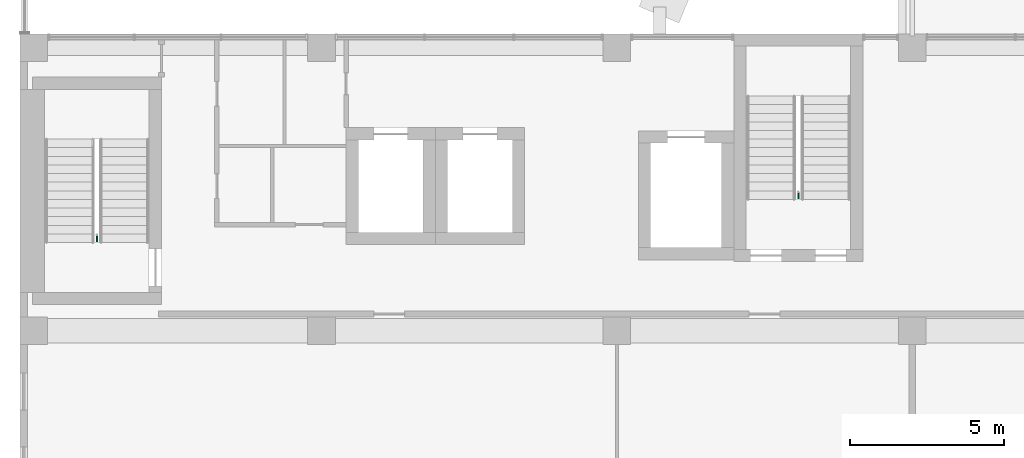
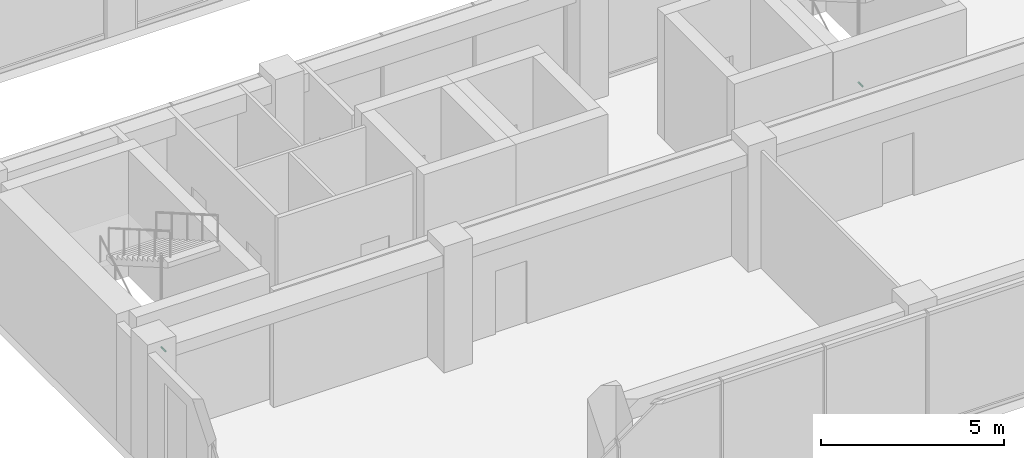
# One storey, part 37 of 38: 2 pipe fittings.
"""IFC4 building model written with IfcOpenShell, lengths in metres."""

from ifc_helpers import new_model, si_unit, direction, frame, origin, origin_2d, place, context, subcontext, project, spatial, circle, extrude, element, save


model = new_model("IFC4")

# Units and contexts
model_context = context("Model", 3, precision=1e-05, world=origin(), true_north=direction((0.0, 1.0)))
body_context = subcontext(model_context, "Body", "Model", "MODEL_VIEW")
ifc_project = project(units=[si_unit("LENGTHUNIT", "METRE"), si_unit("AREAUNIT", "SQUARE_METRE"), si_unit("VOLUMEUNIT", "CUBIC_METRE"), si_unit("PLANEANGLEUNIT", "RADIAN"), si_unit("MASSUNIT", "GRAM", prefix="KILO")], contexts=[model_context])

# Site, building, storey
site_placement = place(None, origin())
site = spatial("IfcSite", under=ifc_project, at=site_placement, CompositionType="ELEMENT")
building_placement = place(site_placement, origin())
building = spatial("IfcBuilding", under=site, at=building_placement, Name="Nzadi Deep Aquarium and Research Tower", CompositionType="ELEMENT")
storey_placement = place(building_placement, frame((0.0, 0.0, 48.699951171875)))
storey = spatial("IfcBuildingStorey", under=building, at=storey_placement, Name="L09", CompositionType="ELEMENT", Elevation=48.699951171875)

# Pipe fittings
for number, where, z_axis, x_axis, name in (
    (1, (2.300048828125, 12.320068359375, 1.10009765625), (0.0, -1.0, 0.0), (1.0, 0.0, 0.0), "Dry riser outlet ST-Z1-SW L09"),
    (2, (25.10009765625, 13.719970703125, 1.10009765625), (0.0, -1.0, 0.0), (1.0, 0.0, 0.0), "Dry riser outlet ST-Z1-SE L09"),
):
    element("IfcPipeFitting", number, at=place(storey_placement, frame(where, z_axis=z_axis, x_axis=x_axis)), inside=storey, Name=name, PredefinedType="EXIT", context=body_context, shape_type="SweptSolid", body=[
        extrude(circle(Radius=0.0224609375, at=origin_2d()), origin(), (0.0, 0.0, 1.0), 0.22998046875),
    ])

save(model, "model.ifc")
